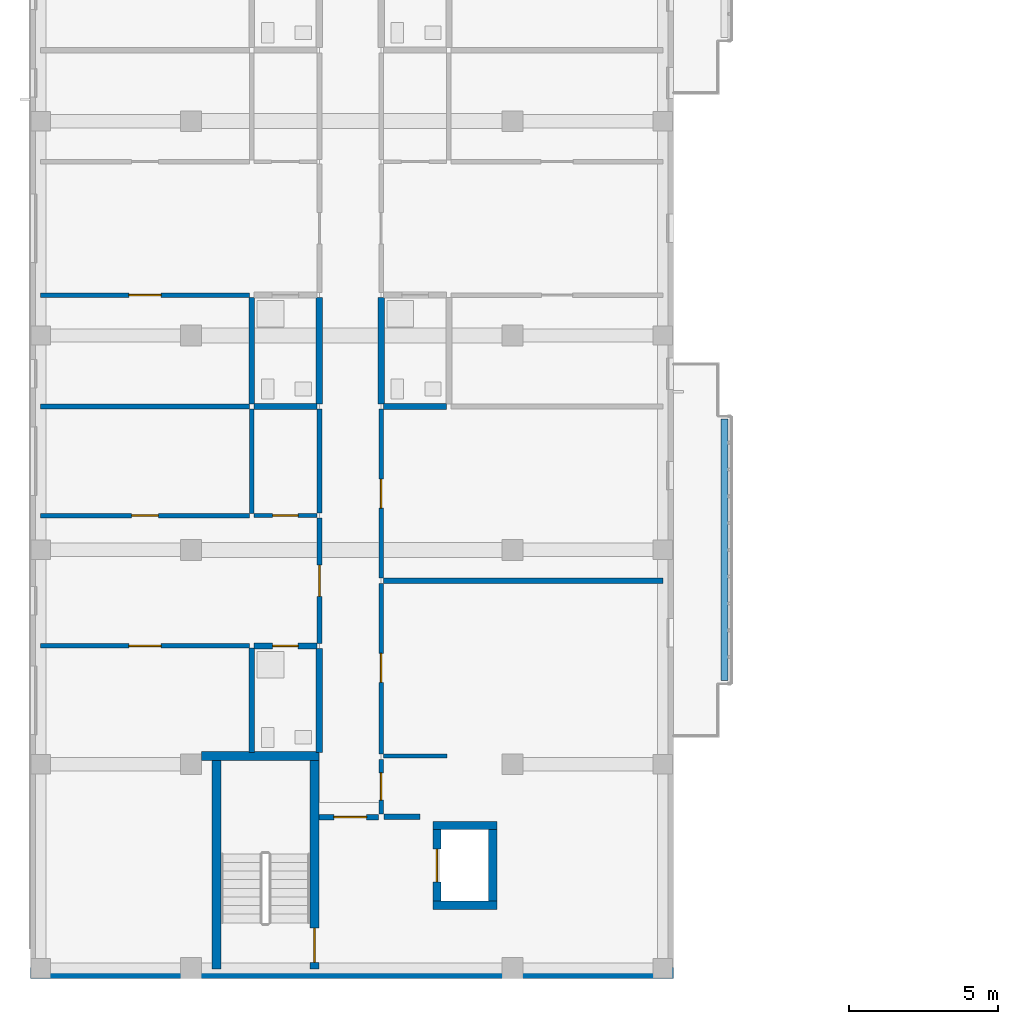
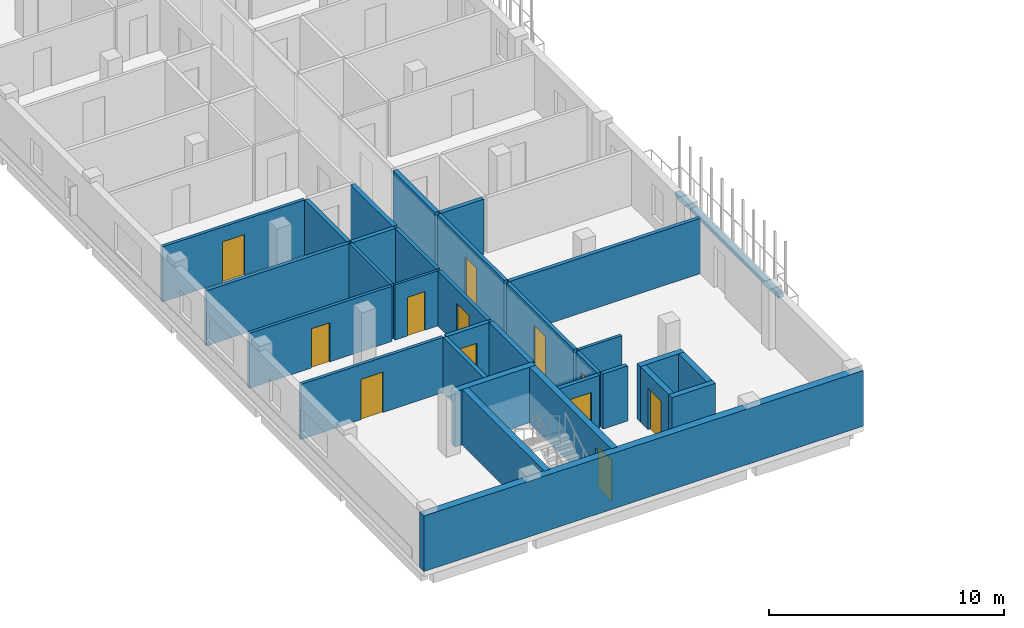
# One storey, part 24 of 51: 32 walls, 12 doors, 12 openings.
"""IFC4 building model written with IfcOpenShell, lengths in metres."""

from ifc_helpers import new_model, si_unit, derived_unit, direction, frame, frame_2d, origin, place, context, subcontext, project, spatial, rectangle, extrude, material, layer, layer_set, type_object, element, fill, save


model = new_model("IFC4")

# Units and contexts
model_context = context("Model", 3, precision=1e-05, world=origin(), true_north=direction((0.0, 1.0)))
body_context = subcontext(model_context, "Body", "Model", "MODEL_VIEW")
ifc_project = project(units=[si_unit("LENGTHUNIT", "METRE"), si_unit("AREAUNIT", "SQUARE_METRE"), si_unit("VOLUMEUNIT", "CUBIC_METRE"), si_unit("PLANEANGLEUNIT", "RADIAN"), si_unit("MASSUNIT", "GRAM", prefix="KILO"), derived_unit("THERMALTRANSMITTANCEUNIT", [(si_unit("MASSUNIT", "GRAM", prefix="KILO"), 1), (si_unit("TIMEUNIT", "SECOND"), -3), (si_unit("THERMODYNAMICTEMPERATUREUNIT", "KELVIN"), -1)])], contexts=[model_context])

# Site, building, storey
site_placement = place(None, origin())
site = spatial("IfcSite", under=ifc_project, at=site_placement, CompositionType="ELEMENT")
building_placement = place(site_placement, origin())
building = spatial("IfcBuilding", under=site, at=building_placement, Name="Ochrekiln Boulevard Commons", CompositionType="ELEMENT")
storey_placement = place(building_placement, frame((0.0, 0.0, 18.375)))
storey = spatial("IfcBuildingStorey", under=building, at=storey_placement, Name="L05", CompositionType="ELEMENT", Elevation=18.375)

# Wall
ifc_material_1 = material(Name="Iron-spot brown clinker brick masonry ASTM C216 Grade SW", Category="masonry")
ifc_layer_1 = layer(ifc_material_1, 0.364990234375)
ifc_layer_set_1 = layer_set([ifc_layer_1], Name="Iron-spot brown clinker brick masonry ASTM C216 Grade SW")
wall_type_1 = type_object("IfcWallType", Name="WL-EXT-IRON-365", PredefinedType="SOLIDWALL", material=ifc_layer_set_1)
wall_1_placement = place(storey_placement, frame((0.0, 0.1826171875, 0.0), z_axis=(0.0, 0.0, 1.0), x_axis=(1.0, 0.0, 0.0)))
element("IfcWall", 1, at=wall_1_placement, inside=storey, type_object=wall_type_1, Name="Block D L05 S Exterior Wall", PredefinedType="SOLIDWALL", context=body_context, shape_type="SweptSolid", body=[
    extrude(rectangle(XDim=21.60009765625, YDim=0.364990234375, at=frame_2d((10.800048828125, 0.0))), origin(), (0.0, 0.0, 1.0), 2.889892578125),
])

# Wall, opening, door
ifc_material_2 = material(Name="Moisture-resistant cementitious tile backer wall")
ifc_layer_2 = layer(ifc_material_2, 0.199951171875)
ifc_layer_set_2 = layer_set([ifc_layer_2], Name="Moisture-resistant cementitious tile backer wall")
wall_type_2 = type_object("IfcWallType", Name="WL-PLM-200", PredefinedType="PLUMBINGWALL", material=ifc_layer_set_2)
wall_2_placement = place(storey_placement, frame((7.52001953125, 11.173095703125, 0.0), z_axis=(0.0, 0.0, 1.0), x_axis=(1.0, 0.0, 0.0)))
wall_2 = element("IfcWall", 2, at=wall_2_placement, inside=storey, type_object=wall_type_2, Name="L05 Interior Wall W-PW200", PredefinedType="PLUMBINGWALL", context=body_context, shape_type="SweptSolid", body=[
    extrude(rectangle(XDim=2.10791015625, YDim=0.199951171875, at=frame_2d((1.053955078125, 0.0))), origin(), (0.0, 0.0, 1.0), 2.8701171875),
])
opening_1_placement = place(wall_2_placement, frame((0.6201171875, 0.0, 0.0)))
opening_1 = element("IfcOpeningElement", 3, at=opening_1_placement, cuts=wall_2, Name="Opening D-L05-762", PredefinedType="OPENING", context=body_context, shape_type="SweptSolid", body=[
    extrude(rectangle(XDim=0.860107421875, YDim=2.0, at=frame_2d((0.43017578125, 1.0))), frame((0.0, 0.10986328125, 0.0), z_axis=(0.0, -1.0, 0.0), x_axis=(1.0, 0.0, 0.0)), (0.0, 0.0, 1.0), 0.219970703125),
])
ifc_material_3 = material(Name="Solid core architectural oak door leaf")
door_type_1 = type_object("IfcDoorType", Name="DR-INT-BTH-086", OperationType="NOTDEFINED", PredefinedType="DOOR", material=ifc_material_3)
door_1_placement = place(opening_1_placement, frame((0.860107421875, 0.0, 0.0), z_axis=(0.0, 0.0, 1.0), x_axis=(-1.0, 0.0, 0.0)))
door_1 = element("IfcDoor", 4, at=door_1_placement, inside=storey, type_object=door_type_1, Name="L05 Interior Door to Accessible Apartment Bathroom", OperationType="SINGLE_SWING_RIGHT", OverallHeight=2.0, OverallWidth=0.860107421875, PredefinedType="DOOR", context=body_context, shape_type="SweptSolid", body=[
    extrude(rectangle(XDim=0.860107421875, YDim=2.0, at=frame_2d((0.43017578125, 1.0))), frame((0.0, 0.02490234375, 0.0), z_axis=(0.0, -1.0, 0.0), x_axis=(1.0, 0.0, 0.0)), (0.0, 0.0, 1.0), 0.050048828125),
])
fill(opening_1, door_1)

# Walls
wall_3_placement = place(storey_placement, frame((7.43994140625, 7.60009765625, 0.0), z_axis=(0.0, 0.0, 1.0), x_axis=(0.0, 1.0, 0.0)))
element("IfcWall", 5, at=wall_3_placement, inside=storey, type_object=wall_type_2, Name="L05 Interior Wall W-PW200", PredefinedType="PLUMBINGWALL", context=body_context, shape_type="SweptSolid", body=[
    extrude(rectangle(XDim=3.497802734375, YDim=0.199951171875, at=frame_2d((1.7490234375, 0.0))), origin(), (0.0, 0.0, 1.0), 2.8701171875),
])
wall_4_placement = place(storey_placement, frame((7.52001953125, 19.216064453125, 0.0), z_axis=(0.0, 0.0, 1.0), x_axis=(1.0, 0.0, 0.0)))
element("IfcWall", 6, at=wall_4_placement, inside=storey, type_object=wall_type_2, Name="L05 Interior Wall W-PW200", PredefinedType="PLUMBINGWALL", context=body_context, shape_type="SweptSolid", body=[
    extrude(rectangle(XDim=2.10791015625, YDim=0.199951171875, at=frame_2d((1.053955078125, 0.0))), origin(), (0.0, 0.0, 1.0), 2.8701171875),
])
wall_5_placement = place(storey_placement, frame((7.43994140625, 19.305908203125, 0.0), z_axis=(0.0, 0.0, 1.0), x_axis=(0.0, 1.0, 0.0)))
element("IfcWall", 7, at=wall_5_placement, inside=storey, type_object=wall_type_2, Name="L05 Interior Wall W-PW200", PredefinedType="PLUMBINGWALL", context=body_context, shape_type="SweptSolid", body=[
    extrude(rectangle(XDim=3.5791015625, YDim=0.199951171875, at=frame_2d((1.78955078125, 0.0))), origin(), (0.0, 0.0, 1.0), 2.8701171875),
])
wall_6_placement = place(storey_placement, frame((11.8720703125, 19.216064453125, 0.0), z_axis=(0.0, 0.0, 1.0), x_axis=(1.0, 0.0, 0.0)))
element("IfcWall", 8, at=wall_6_placement, inside=storey, type_object=wall_type_2, Name="L05 Interior Wall W-PW200", PredefinedType="PLUMBINGWALL", context=body_context, shape_type="SweptSolid", body=[
    extrude(rectangle(XDim=2.10791015625, YDim=0.199951171875, at=frame_2d((1.053955078125, 0.0))), origin(), (0.0, 0.0, 1.0), 2.8701171875),
])
ifc_layer_3 = layer(ifc_material_2, 0.219970703125)
ifc_layer_set_3 = layer_set([ifc_layer_3], Name="Moisture-resistant cementitious tile backer wall")
wall_type_3 = type_object("IfcWallType", Name="WL-PLM-220", PredefinedType="PLUMBINGWALL", material=ifc_layer_set_3)
wall_7_placement = place(storey_placement, frame((9.7099609375, 7.60009765625, 0.0), z_axis=(0.0, 0.0, 1.0), x_axis=(0.0, 1.0, 0.0)))
element("IfcWall", 9, at=wall_7_placement, inside=storey, type_object=wall_type_3, Name="L05 Interior Wall W-PW220", PredefinedType="PLUMBINGWALL", context=body_context, shape_type="SweptSolid", body=[
    extrude(rectangle(XDim=3.492919921875, YDim=0.219970703125, at=frame_2d((1.74658203125, 0.0))), origin(), (0.0, 0.0, 1.0), 2.8701171875),
])
for number, where, z_axis, x_axis, name in (
    (10, (9.7099609375, 19.305908203125, 0.0), (0.0, 0.0, 1.0), (0.0, 1.0, 0.0), "L05 Interior Wall W-PW220"),
    (11, (11.7900390625, 19.305908203125, 0.0), (0.0, 0.0, 1.0), (0.0, 1.0, 0.0), "L05 Interior Wall W-PW220"),
):
    element("IfcWall", number, at=place(storey_placement, frame(where, z_axis=z_axis, x_axis=x_axis)), inside=storey, type_object=wall_type_3, Name=name, PredefinedType="PLUMBINGWALL", context=body_context, shape_type="SweptSolid", body=[
        extrude(rectangle(XDim=3.573974609375, YDim=0.219970703125, at=frame_2d((1.787109375, 0.0))), origin(), (0.0, 0.0, 1.0), 2.8701171875),
    ])
ifc_material_4 = material(Name="Glazed architectural terracotta ASTM C1405", Category="masonry")
ifc_layer_4 = layer(ifc_material_4, 0.25)
ifc_layer_set_4 = layer_set([ifc_layer_4], Name="Glazed architectural terracotta ASTM C1405")
wall_type_4 = type_object("IfcWallType", Name="WL-PLN-250", PredefinedType="PARAPET", material=ifc_layer_set_4)
wall_8_placement = place(storey_placement, frame((23.320068359375, 10.010009765625, 0.0), z_axis=(0.0, 0.0, 1.0), x_axis=(0.0, 1.0, 0.0)))
element("IfcWall", 12, at=wall_8_placement, inside=storey, type_object=wall_type_4, Name="Block D L05 Balcony Terracotta Planter Box 1", PredefinedType="PARAPET", context=body_context, shape_type="SweptSolid", body=[
    extrude(rectangle(XDim=8.780029296875, YDim=0.25, at=frame_2d((4.39013671875, 0.0))), origin(), (0.0, 0.0, 1.0), 0.22998046875),
])
ifc_material_5 = material(Name="Fire-rated Type X gypsum board on steel studs", Category="steel")
ifc_layer_5 = layer(ifc_material_5, 0.139892578125)
ifc_layer_set_5 = layer_set([ifc_layer_5], Name="Fire-rated Type X gypsum board on steel studs")
wall_type_5 = type_object("IfcWallType", Name="WL-PT-ACO-140", PredefinedType="PARTITIONING", material=ifc_layer_set_5)
wall_9_placement = place(storey_placement, frame((11.8720703125, 7.47509765625, 0.0), z_axis=(0.0, 0.0, 1.0), x_axis=(1.0, 0.0, 0.0)))
element("IfcWall", 13, at=wall_9_placement, inside=storey, type_object=wall_type_5, Name="L05 Interior Wall W-PA140", PredefinedType="PARTITIONING", context=body_context, shape_type="SweptSolid", body=[
    extrude(rectangle(XDim=2.1279296875, YDim=0.139892578125, at=frame_2d((1.06396484375, 0.0))), origin(), (0.0, 0.0, 1.0), 2.8701171875),
])

# Wall, opening, door
ifc_layer_6 = layer(ifc_material_5, 0.1650390625)
ifc_layer_set_6 = layer_set([ifc_layer_6], Name="Fire-rated Type X gypsum board on steel studs")
wall_type_6 = type_object("IfcWallType", Name="WL-PT-CORR-165", PredefinedType="PARTITIONING", material=ifc_layer_set_6)
wall_10_placement = place(storey_placement, frame((11.7900390625, 5.530029296875, 0.0), z_axis=(0.0, 0.0, 1.0), x_axis=(0.0, 1.0, 0.0)))
wall_10 = element("IfcWall", 14, at=wall_10_placement, inside=storey, type_object=wall_type_6, Name="L05 Interior Wall W-PC165", PredefinedType="PARTITIONING", context=body_context, shape_type="SweptSolid", body=[
    extrude(rectangle(XDim=1.820068359375, YDim=0.1650390625, at=frame_2d((0.91015625, 0.0))), origin(), (0.0, 0.0, 1.0), 2.8701171875),
])
opening_2_placement = place(wall_10_placement, frame((0.4599609375, 0.0, 0.0)))
opening_2 = element("IfcOpeningElement", 15, at=opening_2_placement, cuts=wall_10, Name="Opening D-L05-754", PredefinedType="OPENING", context=body_context, shape_type="SweptSolid", body=[
    extrude(rectangle(XDim=0.919921875, YDim=2.0400390625, at=frame_2d((0.4599609375, 1.02001953125))), frame((0.0, 0.092529296875, 0.0), z_axis=(0.0, -1.0, 0.0), x_axis=(1.0, 0.0, 0.0)), (0.0, 0.0, 1.0), 0.18505859375),
])
ifc_material_6 = material(Name="Hollow metal fire-rated steel door assembly", Category="steel")
door_type_2 = type_object("IfcDoorType", Name="DR-SRV-90", OperationType="NOTDEFINED", PredefinedType="DOOR", material=ifc_material_6)
door_2_placement = place(opening_2_placement, frame((0.919921875, 0.0, 0.0), z_axis=(0.0, 0.0, 1.0), x_axis=(-1.0, 0.0, 0.0)))
door_2 = element("IfcDoor", 16, at=door_2_placement, inside=storey, type_object=door_type_2, Name="L05 Interior Door to Hydronic and Electrical Riser Room", OperationType="SINGLE_SWING_RIGHT", OverallHeight=2.0400390625, OverallWidth=0.919921875, PredefinedType="DOOR", context=body_context, shape_type="SweptSolid", body=[
    extrude(rectangle(XDim=0.919921875, YDim=2.0400390625, at=frame_2d((0.4599609375, 1.02001953125))), frame((0.0, 0.02490234375, 0.0), z_axis=(0.0, -1.0, 0.0), x_axis=(1.0, 0.0, 0.0)), (0.0, 0.0, 1.0), 0.050048828125),
])
fill(opening_2, door_2)

wall_11_placement = place(storey_placement, frame((9.7099609375, 11.2529296875, 0.0), z_axis=(0.0, 0.0, 1.0), x_axis=(0.0, 1.0, 0.0)))
wall_11 = element("IfcWall", 17, at=wall_11_placement, inside=storey, type_object=wall_type_6, Name="L05 Interior Wall W-PC165", PredefinedType="PARTITIONING", context=body_context, shape_type="SweptSolid", body=[
    extrude(rectangle(XDim=4.219970703125, YDim=0.1650390625, at=frame_2d((2.10986328125, 0.0))), origin(), (0.0, 0.0, 1.0), 2.8701171875),
])
opening_3_placement = place(wall_11_placement, frame((1.5849609375, 0.0, 0.0)))
opening_3 = element("IfcOpeningElement", 18, at=opening_3_placement, cuts=wall_11, Name="Opening D-L05-755", PredefinedType="OPENING", context=body_context, shape_type="SweptSolid", body=[
    extrude(rectangle(XDim=1.050048828125, YDim=2.1298828125, at=frame_2d((0.52490234375, 1.06494140625))), frame((0.0, 0.092529296875, 0.0), z_axis=(0.0, -1.0, 0.0), x_axis=(1.0, 0.0, 0.0)), (0.0, 0.0, 1.0), 0.18505859375),
])
door_type_3 = type_object("IfcDoorType", Name="DR-INT-APT-105", OperationType="NOTDEFINED", PredefinedType="DOOR", material=ifc_material_3)
door_3_placement = place(opening_3_placement, origin())
door_3 = element("IfcDoor", 19, at=door_3_placement, inside=storey, type_object=door_type_3, Name="L05 Interior Door to Two-Bedroom Apartment Living Room", OperationType="SINGLE_SWING_LEFT", OverallHeight=2.1298828125, OverallWidth=1.050048828125, PredefinedType="DOOR", context=body_context, shape_type="SweptSolid", body=[
    extrude(rectangle(XDim=1.050048828125, YDim=2.1298828125, at=frame_2d((0.52490234375, 1.06494140625))), frame((0.0, 0.02490234375, 0.0), z_axis=(0.0, -1.0, 0.0), x_axis=(1.0, 0.0, 0.0)), (0.0, 0.0, 1.0), 0.050048828125),
])
fill(opening_3, door_3)

# Wall
wall_12_placement = place(storey_placement, frame((9.7099609375, 15.633056640625, 0.0), z_axis=(0.0, 0.0, 1.0), x_axis=(0.0, 1.0, 0.0)))
element("IfcWall", 20, at=wall_12_placement, inside=storey, type_object=wall_type_6, Name="L05 Interior Wall W-PC165", PredefinedType="PARTITIONING", context=body_context, shape_type="SweptSolid", body=[
    extrude(rectangle(XDim=3.492919921875, YDim=0.1650390625, at=frame_2d((1.74658203125, 0.0))), origin(), (0.0, 0.0, 1.0), 2.8701171875),
])

# Wall, opening, door
wall_13_placement = place(storey_placement, frame((11.7900390625, 7.544921875, 0.0), z_axis=(0.0, 0.0, 1.0), x_axis=(0.0, 1.0, 0.0)))
wall_13 = element("IfcWall", 21, at=wall_13_placement, inside=storey, type_object=wall_type_6, Name="L05 Interior Wall W-PC165", PredefinedType="PARTITIONING", context=body_context, shape_type="SweptSolid", body=[
    extrude(rectangle(XDim=5.72802734375, YDim=0.1650390625, at=frame_2d((2.864013671875, 0.0))), origin(), (0.0, 0.0, 1.0), 2.8701171875),
])
opening_4_placement = place(wall_13_placement, frame((2.40087890625, 0.0, 0.0)))
opening_4 = element("IfcOpeningElement", 22, at=opening_4_placement, cuts=wall_13, Name="Opening D-L05-758", PredefinedType="OPENING", context=body_context, shape_type="SweptSolid", body=[
    extrude(rectangle(XDim=0.97998046875, YDim=2.080078125, at=frame_2d((0.489990234375, 1.0400390625))), frame((0.0, 0.092529296875, 0.0), z_axis=(0.0, -1.0, 0.0), x_axis=(1.0, 0.0, 0.0)), (0.0, 0.0, 1.0), 0.18505859375),
])
door_type_4 = type_object("IfcDoorType", Name="DR-APT-60", OperationType="NOTDEFINED", PredefinedType="DOOR", material=ifc_material_3)
door_4_placement = place(opening_4_placement, frame((0.97998046875, 0.0, 0.0), z_axis=(0.0, 0.0, 1.0), x_axis=(-1.0, 0.0, 0.0)))
door_4 = element("IfcDoor", 23, at=door_4_placement, inside=storey, type_object=door_type_4, Name="L05 Interior Door to Resident Study Lounge", OperationType="SINGLE_SWING_RIGHT", OverallHeight=2.080078125, OverallWidth=0.97998046875, PredefinedType="DOOR", context=body_context, shape_type="SweptSolid", body=[
    extrude(rectangle(XDim=0.97998046875, YDim=2.080078125, at=frame_2d((0.489990234375, 1.0400390625))), frame((0.0, 0.02490234375, 0.0), z_axis=(0.0, -1.0, 0.0), x_axis=(1.0, 0.0, 0.0)), (0.0, 0.0, 1.0), 0.050048828125),
])
fill(opening_4, door_4)

wall_14_placement = place(storey_placement, frame((11.7900390625, 13.452880859375, 0.0), z_axis=(0.0, 0.0, 1.0), x_axis=(0.0, 1.0, 0.0)))
wall_14 = element("IfcWall", 24, at=wall_14_placement, inside=storey, type_object=wall_type_6, Name="L05 Interior Wall W-PC165", PredefinedType="PARTITIONING", context=body_context, shape_type="SweptSolid", body=[
    extrude(rectangle(XDim=5.673095703125, YDim=0.1650390625, at=frame_2d((2.83642578125, 0.0))), origin(), (0.0, 0.0, 1.0), 2.8701171875),
])
opening_5_placement = place(wall_14_placement, frame((2.346923828125, 0.0, 0.0)))
opening_5 = element("IfcOpeningElement", 25, at=opening_5_placement, cuts=wall_14, Name="Opening D-L05-759", PredefinedType="OPENING", context=body_context, shape_type="SweptSolid", body=[
    extrude(rectangle(XDim=0.97998046875, YDim=2.080078125, at=frame_2d((0.489990234375, 1.0400390625))), frame((0.0, 0.092529296875, 0.0), z_axis=(0.0, -1.0, 0.0), x_axis=(1.0, 0.0, 0.0)), (0.0, 0.0, 1.0), 0.18505859375),
])
door_5_placement = place(opening_5_placement, frame((0.97998046875, 0.0, 0.0), z_axis=(0.0, 0.0, 1.0), x_axis=(-1.0, 0.0, 0.0)))
door_5 = element("IfcDoor", 26, at=door_5_placement, inside=storey, type_object=door_type_4, Name="L05 Interior Door to Resident Reading Library", OperationType="SINGLE_SWING_LEFT", OverallHeight=2.080078125, OverallWidth=0.97998046875, PredefinedType="DOOR", context=body_context, shape_type="SweptSolid", body=[
    extrude(rectangle(XDim=0.97998046875, YDim=2.080078125, at=frame_2d((0.489990234375, 1.0400390625))), frame((0.0, 0.02490234375, 0.0), z_axis=(0.0, -1.0, 0.0), x_axis=(1.0, 0.0, 0.0)), (0.0, 0.0, 1.0), 0.050048828125),
])
fill(opening_5, door_5)

# Walls
ifc_layer_7 = layer(ifc_material_5, 0.179931640625)
ifc_layer_set_7 = layer_set([ifc_layer_7], Name="Fire-rated Type X gypsum board on steel studs")
wall_type_7 = type_object("IfcWallType", Name="WL-PT-DEM-180", PredefinedType="PARTITIONING", material=ifc_layer_set_7)
wall_15_placement = place(storey_placement, frame((0.35009765625, 19.216064453125, 0.0), z_axis=(0.0, 0.0, 1.0), x_axis=(1.0, 0.0, 0.0)))
element("IfcWall", 27, at=wall_15_placement, inside=storey, type_object=wall_type_7, Name="L05 Interior Wall W-PD180", PredefinedType="PARTITIONING", context=body_context, shape_type="SweptSolid", body=[
    extrude(rectangle(XDim=7.010009765625, YDim=0.179931640625, at=frame_2d((3.5048828125, 0.0))), origin(), (0.0, 0.0, 1.0), 2.8701171875),
])
wall_16_placement = place(storey_placement, frame((11.8720703125, 13.363037109375, 0.0), z_axis=(0.0, 0.0, 1.0), x_axis=(1.0, 0.0, 0.0)))
element("IfcWall", 28, at=wall_16_placement, inside=storey, type_object=wall_type_7, Name="L05 Interior Wall W-PD180", PredefinedType="PARTITIONING", context=body_context, shape_type="SweptSolid", body=[
    extrude(rectangle(XDim=9.3779296875, YDim=0.179931640625, at=frame_2d((4.68896484375, 0.0))), origin(), (0.0, 0.0, 1.0), 2.8701171875),
])
ifc_layer_8 = layer(ifc_material_5, 0.18994140625)
ifc_layer_set_8 = layer_set([ifc_layer_8], Name="Fire-rated Type X gypsum board on steel studs")
wall_type_8 = type_object("IfcWallType", Name="WL-PT-LBY-190", PredefinedType="PARTITIONING", material=ifc_layer_set_8)
wall_17_placement = place(storey_placement, frame((11.8798828125, 5.43505859375, 0.0), z_axis=(0.0, 0.0, 1.0), x_axis=(1.0, 0.0, 0.0)))
element("IfcWall", 29, at=wall_17_placement, inside=storey, type_object=wall_type_8, Name="L05 Interior Wall W-PL190", PredefinedType="PARTITIONING", context=body_context, shape_type="SweptSolid", body=[
    extrude(rectangle(XDim=1.22021484375, YDim=0.18994140625, at=frame_2d((0.610107421875, 0.0))), origin(), (0.0, 0.0, 1.0), 2.8701171875),
])

# Wall, opening, door
wall_18_placement = place(storey_placement, frame((9.699951171875, 5.419921875, 0.0), z_axis=(0.0, 0.0, 1.0), x_axis=(1.0, 0.0, 0.0)))
wall_18 = element("IfcWall", 30, at=wall_18_placement, inside=storey, type_object=wall_type_8, Name="L05 Interior Wall W-PL190", PredefinedType="PARTITIONING", context=body_context, shape_type="SweptSolid", body=[
    extrude(rectangle(XDim=2.0, YDim=0.18994140625, at=frame_2d((1.0, 0.0))), origin(), (0.0, 0.0, 1.0), 2.8701171875),
])
opening_6_placement = place(wall_18_placement, frame((0.5, 0.0, 0.0)))
opening_6 = element("IfcOpeningElement", 31, at=opening_6_placement, cuts=wall_18, Name="Opening D-L05-752", PredefinedType="OPENING", context=body_context, shape_type="SweptSolid", body=[
    extrude(rectangle(XDim=1.10009765625, YDim=2.1201171875, at=frame_2d((0.550048828125, 1.06005859375))), frame((0.0, 0.10498046875, 0.0), z_axis=(0.0, -1.0, 0.0), x_axis=(1.0, 0.0, 0.0)), (0.0, 0.0, 1.0), 0.2099609375),
])
door_type_5 = type_object("IfcDoorType", Name="DR-LOBBY-60", OperationType="NOTDEFINED", PredefinedType="DOOR", material=ifc_material_6)
door_6_placement = place(opening_6_placement, frame((1.10009765625, 0.0, 0.0), z_axis=(0.0, 0.0, 1.0), x_axis=(-1.0, 0.0, 0.0)))
door_6 = element("IfcDoor", 32, at=door_6_placement, inside=storey, type_object=door_type_5, Name="L05 Interior Door to Passenger Elevator Lobby", OperationType="SINGLE_SWING_RIGHT", OverallHeight=2.1201171875, OverallWidth=1.10009765625, PredefinedType="DOOR", context=body_context, shape_type="SweptSolid", body=[
    extrude(rectangle(XDim=1.10009765625, YDim=2.1201171875, at=frame_2d((0.550048828125, 1.06005859375))), frame((0.0, 0.02490234375, 0.0), z_axis=(0.0, -1.0, 0.0), x_axis=(1.0, 0.0, 0.0)), (0.0, 0.0, 1.0), 0.050048828125),
])
fill(opening_6, door_6)

ifc_layer_9 = layer(ifc_material_5, 0.1201171875)
ifc_layer_set_9 = layer_set([ifc_layer_9], Name="Fire-rated Type X gypsum board on steel studs")
wall_type_9 = type_object("IfcWallType", Name="WL-PT-LGT-120", PredefinedType="PARTITIONING", material=ifc_layer_set_9)
wall_19_placement = place(storey_placement, frame((7.52001953125, 15.552978515625, 0.0), z_axis=(0.0, 0.0, 1.0), x_axis=(1.0, 0.0, 0.0)))
wall_19 = element("IfcWall", 33, at=wall_19_placement, inside=storey, type_object=wall_type_9, Name="L05 Interior Wall W-PL120", PredefinedType="PARTITIONING", context=body_context, shape_type="SweptSolid", body=[
    extrude(rectangle(XDim=2.10791015625, YDim=0.1201171875, at=frame_2d((1.053955078125, 0.0))), origin(), (0.0, 0.0, 1.0), 2.8701171875),
])
opening_7_placement = place(wall_19_placement, frame((0.625, 0.0, 0.0)))
opening_7 = element("IfcOpeningElement", 34, at=opening_7_placement, cuts=wall_19, Name="Opening D-L05-763", PredefinedType="OPENING", context=body_context, shape_type="SweptSolid", body=[
    extrude(rectangle(XDim=0.85009765625, YDim=2.010009765625, at=frame_2d((0.425048828125, 1.0048828125))), frame((0.0, 0.070068359375, 0.0), z_axis=(0.0, -1.0, 0.0), x_axis=(1.0, 0.0, 0.0)), (0.0, 0.0, 1.0), 0.14013671875),
])
door_type_6 = type_object("IfcDoorType", Name="DR-INT-KIT-085", OperationType="NOTDEFINED", PredefinedType="DOOR", material=ifc_material_3)
door_7_placement = place(opening_7_placement, origin())
door_7 = element("IfcDoor", 35, at=door_7_placement, inside=storey, type_object=door_type_6, Name="L05 Interior Door to Apartment Kitchen", OperationType="SINGLE_SWING_LEFT", OverallHeight=2.010009765625, OverallWidth=0.85009765625, PredefinedType="DOOR", context=body_context, shape_type="SweptSolid", body=[
    extrude(rectangle(XDim=0.85009765625, YDim=2.010009765625, at=frame_2d((0.425048828125, 1.0048828125))), frame((0.0, 0.02490234375, 0.0), z_axis=(0.0, -1.0, 0.0), x_axis=(1.0, 0.0, 0.0)), (0.0, 0.0, 1.0), 0.050048828125),
])
fill(opening_7, door_7)

ifc_layer_10 = layer(ifc_material_5, 0.14990234375)
ifc_layer_set_10 = layer_set([ifc_layer_10], Name="Fire-rated Type X gypsum board on steel studs")
wall_type_10 = type_object("IfcWallType", Name="WL-PT-STD-150", PredefinedType="PARTITIONING", material=ifc_layer_set_10)
wall_20_placement = place(storey_placement, frame((0.35009765625, 11.173095703125, 0.0), z_axis=(0.0, 0.0, 1.0), x_axis=(1.0, 0.0, 0.0)))
wall_20 = element("IfcWall", 36, at=wall_20_placement, inside=storey, type_object=wall_type_10, Name="L05 Interior Wall W-PS150", PredefinedType="PARTITIONING", context=body_context, shape_type="SweptSolid", body=[
    extrude(rectangle(XDim=7.010009765625, YDim=0.14990234375, at=frame_2d((3.5048828125, 0.0))), origin(), (0.0, 0.0, 1.0), 2.8701171875),
])
opening_8_placement = place(wall_20_placement, frame((2.965087890625, 0.0, 0.0)))
opening_8 = element("IfcOpeningElement", 37, at=opening_8_placement, cuts=wall_20, Name="Opening D-L05-764", PredefinedType="OPENING", context=body_context, shape_type="SweptSolid", body=[
    extrude(rectangle(XDim=1.080078125, YDim=2.10009765625, at=frame_2d((0.5400390625, 1.050048828125))), frame((0.0, 0.0849609375, 0.0), z_axis=(0.0, -1.0, 0.0), x_axis=(1.0, 0.0, 0.0)), (0.0, 0.0, 1.0), 0.169921875),
])
door_type_7 = type_object("IfcDoorType", Name="DR-INT-BED-108", OperationType="NOTDEFINED", PredefinedType="DOOR", material=ifc_material_3)
door_8_placement = place(opening_8_placement, frame((1.080078125, 0.0, 0.0), z_axis=(0.0, 0.0, 1.0), x_axis=(-1.0, 0.0, 0.0)))
door_8 = element("IfcDoor", 38, at=door_8_placement, inside=storey, type_object=door_type_7, Name="L05 Interior Door to Primary Apartment Bedroom", OperationType="SINGLE_SWING_RIGHT", OverallHeight=2.10009765625, OverallWidth=1.080078125, PredefinedType="DOOR", context=body_context, shape_type="SweptSolid", body=[
    extrude(rectangle(XDim=1.080078125, YDim=2.10009765625, at=frame_2d((0.5400390625, 1.050048828125))), frame((0.0, 0.02490234375, 0.0), z_axis=(0.0, -1.0, 0.0), x_axis=(1.0, 0.0, 0.0)), (0.0, 0.0, 1.0), 0.050048828125),
])
fill(opening_8, door_8)

wall_21_placement = place(storey_placement, frame((0.35009765625, 15.552978515625, 0.0), z_axis=(0.0, 0.0, 1.0), x_axis=(1.0, 0.0, 0.0)))
wall_21 = element("IfcWall", 39, at=wall_21_placement, inside=storey, type_object=wall_type_10, Name="L05 Interior Wall W-PS150", PredefinedType="PARTITIONING", context=body_context, shape_type="SweptSolid", body=[
    extrude(rectangle(XDim=7.010009765625, YDim=0.14990234375, at=frame_2d((3.5048828125, 0.0))), origin(), (0.0, 0.0, 1.0), 2.8701171875),
])
opening_9_placement = place(wall_21_placement, frame((3.054931640625, 0.0, 0.0)))
opening_9 = element("IfcOpeningElement", 40, at=opening_9_placement, cuts=wall_21, Name="Opening D-L05-765", PredefinedType="OPENING", context=body_context, shape_type="SweptSolid", body=[
    extrude(rectangle(XDim=0.89990234375, YDim=2.0400390625, at=frame_2d((0.449951171875, 1.02001953125))), frame((0.0, 0.0849609375, 0.0), z_axis=(0.0, -1.0, 0.0), x_axis=(1.0, 0.0, 0.0)), (0.0, 0.0, 1.0), 0.169921875),
])
door_type_8 = type_object("IfcDoorType", Name="DR-INT-BED-090", OperationType="NOTDEFINED", PredefinedType="DOOR", material=ifc_material_3)
door_9_placement = place(opening_9_placement, origin())
door_9 = element("IfcDoor", 41, at=door_9_placement, inside=storey, type_object=door_type_8, Name="L05 Interior Door to Secondary Apartment Bedroom", OperationType="SINGLE_SWING_LEFT", OverallHeight=2.0400390625, OverallWidth=0.89990234375, PredefinedType="DOOR", context=body_context, shape_type="SweptSolid", body=[
    extrude(rectangle(XDim=0.89990234375, YDim=2.0400390625, at=frame_2d((0.449951171875, 1.02001953125))), frame((0.0, 0.02490234375, 0.0), z_axis=(0.0, -1.0, 0.0), x_axis=(1.0, 0.0, 0.0)), (0.0, 0.0, 1.0), 0.050048828125),
])
fill(opening_9, door_9)

# Wall
wall_22_placement = place(storey_placement, frame((7.43994140625, 15.6279296875, 0.0), z_axis=(0.0, 0.0, 1.0), x_axis=(0.0, 1.0, 0.0)))
element("IfcWall", 42, at=wall_22_placement, inside=storey, type_object=wall_type_10, Name="L05 Interior Wall W-PS150", PredefinedType="PARTITIONING", context=body_context, shape_type="SweptSolid", body=[
    extrude(rectangle(XDim=3.498046875, YDim=0.14990234375, at=frame_2d((1.7490234375, 0.0))), origin(), (0.0, 0.0, 1.0), 2.8701171875),
])

# Wall, opening, door
wall_23_placement = place(storey_placement, frame((0.35009765625, 22.9599609375, 0.0), z_axis=(0.0, 0.0, 1.0), x_axis=(1.0, 0.0, 0.0)))
wall_23 = element("IfcWall", 43, at=wall_23_placement, inside=storey, type_object=wall_type_10, Name="L05 Interior Wall W-PS150", PredefinedType="PARTITIONING", context=body_context, shape_type="SweptSolid", body=[
    extrude(rectangle(XDim=7.010009765625, YDim=0.14990234375, at=frame_2d((3.5048828125, 0.0))), origin(), (0.0, 0.0, 1.0), 2.8701171875),
])
opening_10_placement = place(wall_23_placement, frame((2.965087890625, 0.0, 0.0)))
opening_10 = element("IfcOpeningElement", 44, at=opening_10_placement, cuts=wall_23, Name="Opening D-L05-768", PredefinedType="OPENING", context=body_context, shape_type="SweptSolid", body=[
    extrude(rectangle(XDim=1.080078125, YDim=2.10009765625, at=frame_2d((0.5400390625, 1.050048828125))), frame((0.0, 0.0849609375, 0.0), z_axis=(0.0, -1.0, 0.0), x_axis=(1.0, 0.0, 0.0)), (0.0, 0.0, 1.0), 0.169921875),
])
door_10_placement = place(opening_10_placement, frame((1.080078125, 0.0, 0.0), z_axis=(0.0, 0.0, 1.0), x_axis=(-1.0, 0.0, 0.0)))
door_10 = element("IfcDoor", 45, at=door_10_placement, inside=storey, type_object=door_type_7, Name="L05 Interior Door to Primary Apartment Bedroom", OperationType="SINGLE_SWING_RIGHT", OverallHeight=2.10009765625, OverallWidth=1.080078125, PredefinedType="DOOR", context=body_context, shape_type="SweptSolid", body=[
    extrude(rectangle(XDim=1.080078125, YDim=2.10009765625, at=frame_2d((0.5400390625, 1.050048828125))), frame((0.0, 0.02490234375, 0.0), z_axis=(0.0, -1.0, 0.0), x_axis=(1.0, 0.0, 0.0)), (0.0, 0.0, 1.0), 0.050048828125),
])
fill(opening_10, door_10)

# Walls
ifc_material_7 = material(Name="Concrete C40/50", Category="concrete")
ifc_layer_11 = layer(ifc_material_7, 0.27490234375)
ifc_layer_set_11 = layer_set([ifc_layer_11], Name="Concrete C40/50")
wall_type_11 = type_object("IfcWallType", Name="WL-SH-275", PredefinedType="SHEAR", material=ifc_layer_set_11)
for number, where, z_axis, x_axis, name in (
    (46, (13.52490234375, 2.46240234375, 0.0), (0.0, 0.0, 1.0), (1.0, 0.0, 0.0), "Elevator LP-D1 L05 Hoistway Shear Wall"),
    (47, (13.52490234375, 5.137451171875, 0.0), (0.0, 0.0, 1.0), (1.0, 0.0, 0.0), "Elevator LP-D1 L05 Hoistway Shear Wall"),
):
    element("IfcWall", number, at=place(storey_placement, frame(where, z_axis=z_axis, x_axis=x_axis)), inside=storey, type_object=wall_type_11, Name=name, PredefinedType="SHEAR", context=body_context, shape_type="SweptSolid", body=[
        extrude(rectangle(XDim=2.150146484375, YDim=0.27490234375, at=frame_2d((1.0751953125, 0.0))), origin(), (0.0, 0.0, 1.0), 2.889892578125),
    ])

# Wall, opening, door
wall_24_placement = place(storey_placement, frame((13.66259765625, 2.60009765625, 0.0), z_axis=(0.0, 0.0, 1.0), x_axis=(0.0, 1.0, 0.0)))
wall_24 = element("IfcWall", 48, at=wall_24_placement, inside=storey, type_object=wall_type_11, Name="Elevator LP-D1 L05 Hoistway Shear Wall", PredefinedType="SHEAR", context=body_context, shape_type="SweptSolid", body=[
    extrude(rectangle(XDim=2.39990234375, YDim=0.27490234375, at=frame_2d((1.199951171875, 0.0))), origin(), (0.0, 0.0, 1.0), 2.889892578125),
])
opening_11_placement = place(wall_24_placement, frame((0.64990234375, 0.0, 0.0)))
opening_11 = element("IfcOpeningElement", 49, at=opening_11_placement, cuts=wall_24, Name="Opening LD-LP-D1-L05", PredefinedType="OPENING", context=body_context, shape_type="SweptSolid", body=[
    extrude(rectangle(XDim=1.10009765625, YDim=2.14990234375, at=frame_2d((0.550048828125, 1.074951171875))), frame((0.0, 0.1474609375, 0.0), z_axis=(0.0, -1.0, 0.0), x_axis=(1.0, 0.0, 0.0)), (0.0, 0.0, 1.0), 0.294921875),
])
ifc_material_8 = material(Name="Brushed stainless steel 316 elevator cab and doors", Category="steel")
door_type_9 = type_object("IfcDoorType", Name="DR-LIFT-LD90", OperationType="SLIDING_TO_LEFT", PredefinedType="DOOR", material=ifc_material_8)
door_11_placement = place(opening_11_placement, origin())
door_11 = element("IfcDoor", 50, at=door_11_placement, inside=storey, type_object=door_type_9, Name="Elevator LP-D1 L05 Sliding Landing Door LD-LP-D1-L05", OperationType="SLIDING_TO_LEFT", OverallHeight=2.14990234375, OverallWidth=1.10009765625, PredefinedType="DOOR", context=body_context, shape_type="SweptSolid", body=[
    extrude(rectangle(XDim=1.10009765625, YDim=2.14990234375, at=frame_2d((0.550048828125, 1.074951171875))), frame((0.0, 0.02490234375, 0.0), z_axis=(0.0, -1.0, 0.0), x_axis=(1.0, 0.0, 0.0)), (0.0, 0.0, 1.0), 0.050048828125),
])
fill(opening_11, door_11)

# Walls
wall_25_placement = place(storey_placement, frame((15.53759765625, 2.60009765625, 0.0), z_axis=(0.0, 0.0, 1.0), x_axis=(0.0, 1.0, 0.0)))
element("IfcWall", 51, at=wall_25_placement, inside=storey, type_object=wall_type_11, Name="Elevator LP-D1 L05 Hoistway Shear Wall", PredefinedType="SHEAR", context=body_context, shape_type="SweptSolid", body=[
    extrude(rectangle(XDim=2.39990234375, YDim=0.27490234375, at=frame_2d((1.199951171875, 0.0))), origin(), (0.0, 0.0, 1.0), 2.889892578125),
])
ifc_layer_12 = layer(ifc_material_7, 0.300048828125)
ifc_layer_set_12 = layer_set([ifc_layer_12], Name="Concrete C40/50")
wall_type_12 = type_object("IfcWallType", Name="WL-SH-300", PredefinedType="SHEAR", material=ifc_layer_set_12)
wall_26_placement = place(storey_placement, frame((5.75, 7.469970703125, 0.0), z_axis=(0.0, 0.0, 1.0), x_axis=(1.0, 0.0, 0.0)))
element("IfcWall", 52, at=wall_26_placement, inside=storey, type_object=wall_type_12, Name="Stair ST-D1 L05 Core Shear Wall N", PredefinedType="SHEAR", context=body_context, shape_type="SweptSolid", body=[
    extrude(rectangle(XDim=3.949951171875, YDim=0.300048828125, at=frame_2d((1.97509765625, 0.0))), origin(), (0.0, 0.0, 1.0), 2.889892578125),
])
wall_27_placement = place(storey_placement, frame((6.25, 0.320068359375, 0.0), z_axis=(0.0, 0.0, 1.0), x_axis=(0.0, 1.0, 0.0)))
element("IfcWall", 53, at=wall_27_placement, inside=storey, type_object=wall_type_12, Name="Stair ST-D1 L05 Core Shear Wall W", PredefinedType="SHEAR", context=body_context, shape_type="SweptSolid", body=[
    extrude(rectangle(XDim=7.0, YDim=0.300048828125, at=frame_2d((3.5, 0.0))), origin(), (0.0, 0.0, 1.0), 2.889892578125),
])

# Wall, opening, door
wall_28_placement = place(storey_placement, frame((9.550048828125, 0.320068359375, 0.0), z_axis=(0.0, 0.0, 1.0), x_axis=(0.0, 1.0, 0.0)))
wall_28 = element("IfcWall", 54, at=wall_28_placement, inside=storey, type_object=wall_type_12, Name="Stair ST-D1 L05 Core Shear Wall E", PredefinedType="SHEAR", context=body_context, shape_type="SweptSolid", body=[
    extrude(rectangle(XDim=7.0, YDim=0.300048828125, at=frame_2d((3.5, 0.0))), origin(), (0.0, 0.0, 1.0), 2.889892578125),
])
opening_12_placement = place(wall_28_placement, frame((0.22509765625, 0.0, 0.0)))
opening_12 = element("IfcOpeningElement", 55, at=opening_12_placement, cuts=wall_28, Name="Opening D-L05-ST-D1", PredefinedType="OPENING", context=body_context, shape_type="SweptSolid", body=[
    extrude(rectangle(XDim=1.14990234375, YDim=2.1201171875, at=frame_2d((0.574951171875, 1.06005859375))), frame((0.0, 0.159912109375, 0.0), z_axis=(0.0, -1.0, 0.0), x_axis=(1.0, 0.0, 0.0)), (0.0, 0.0, 1.0), 0.320068359375),
])
door_type_10 = type_object("IfcDoorType", Name="DR-STAIR-90", OperationType="NOTDEFINED", PredefinedType="DOOR", material=ifc_material_6)
door_12_placement = place(opening_12_placement, origin())
door_12 = element("IfcDoor", 56, at=door_12_placement, inside=storey, type_object=door_type_10, Name="Enclosed Exit Stair ST-D1 L05 Rated Door", OperationType="SINGLE_SWING_LEFT", OverallHeight=2.1201171875, OverallWidth=1.14990234375, PredefinedType="DOOR", context=body_context, shape_type="SweptSolid", body=[
    extrude(rectangle(XDim=1.14990234375, YDim=2.1201171875, at=frame_2d((0.574951171875, 1.06005859375))), frame((0.0, 0.02490234375, 0.0), z_axis=(0.0, -1.0, 0.0), x_axis=(1.0, 0.0, 0.0)), (0.0, 0.0, 1.0), 0.050048828125),
])
fill(opening_12, door_12)

save(model, "model.ifc")
